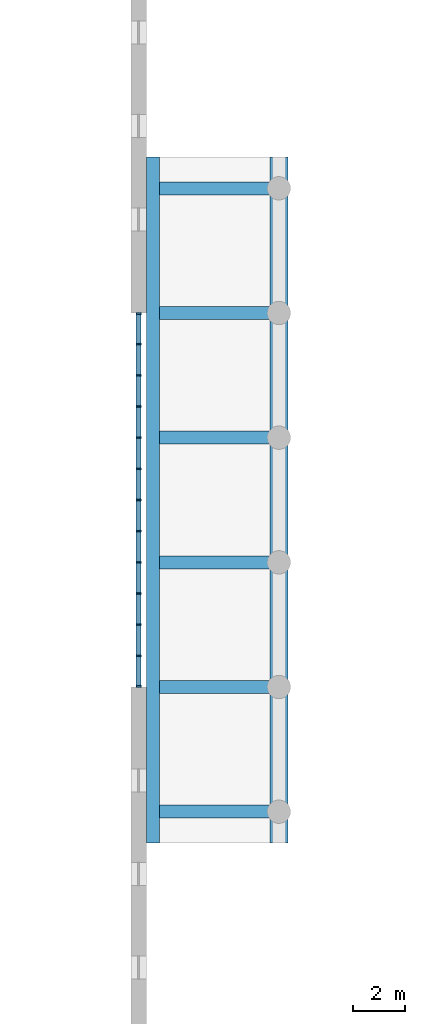
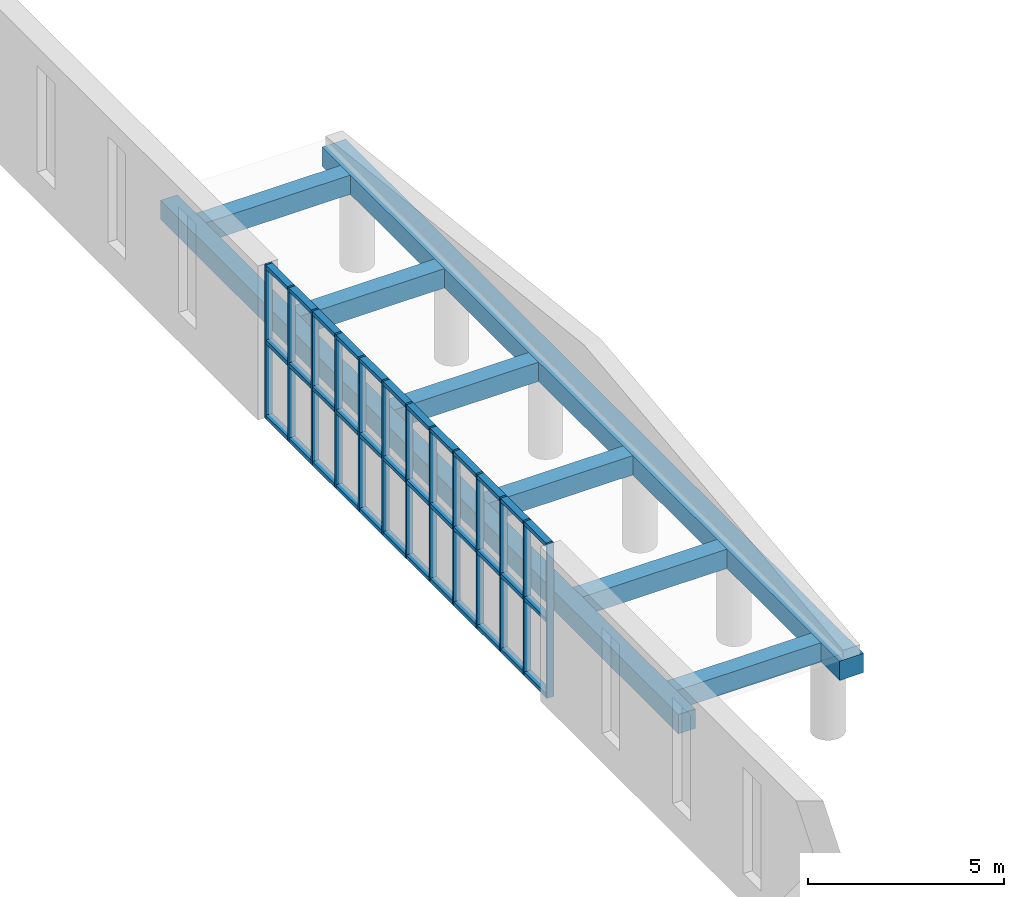
# One storey, part 51 of 131: 49 members, 8 beams, 1 element without a shape of its own.
"""IFC4 building model written with IfcOpenShell, lengths in metres."""

from ifc_helpers import new_model, si_unit, direction, frame, origin, origin_2d, place, context, subcontext, project, spatial, rectangle, extrude, material, material_profile, profile_set, type_object, element, aggregate, save


model = new_model("IFC4")

# Units and contexts
model_context = context("Model", 3, precision=1e-05, world=origin(), true_north=direction((0.0, 1.0)))
body_context = subcontext(model_context, "Body", "Model", "MODEL_VIEW")
ifc_project = project(units=[si_unit("LENGTHUNIT", "METRE"), si_unit("AREAUNIT", "SQUARE_METRE"), si_unit("VOLUMEUNIT", "CUBIC_METRE"), si_unit("PLANEANGLEUNIT", "RADIAN"), si_unit("MASSUNIT", "GRAM", prefix="KILO")], contexts=[model_context])

# Site, building, storey
site_placement = place(None, origin())
site = spatial("IfcSite", under=ifc_project, at=site_placement, CompositionType="ELEMENT")
building_placement = place(site_placement, origin())
building = spatial("IfcBuilding", under=site, at=building_placement, Name="Alderwick Market Hall", CompositionType="ELEMENT")
storey_placement = place(building_placement, frame((0.0, 0.0, 4.800048828125)))
storey = spatial("IfcBuildingStorey", under=building, at=storey_placement, Name="L00", CompositionType="ELEMENT", Elevation=4.800048828125)

# Curtain wall, members
ifc_material_1 = material(Name="Aluminium", Category="aluminium")
curtain_wall_type = type_object("IfcCurtainWallType", Name="R Curtain Wall Frame", PredefinedType="NOTDEFINED", material=ifc_material_1)
curtain_wall_placement = place(storey_placement, origin())
curtain_wall = element("IfcCurtainWall", 1, at=curtain_wall_placement, inside=storey, type_object=curtain_wall_type, Name="Curtain wall GCW1", PredefinedType="NOTDEFINED")
ifc_material_profile_1 = material_profile(ifc_material_1, rectangle(XDim=0.199951171875, YDim=0.06005859375, at=origin_2d()), Name="AL 60x200")
ifc_profile_set_1 = profile_set([ifc_material_profile_1], Name="Aluminium")
member_type_1 = type_object("IfcMemberType", Name="R CW Mullion 60x200", PredefinedType="MULLION", material=ifc_profile_set_1)
member_1_placement = place(storey_placement, frame((151.199951171875, 72.030029296875, 0.0), z_axis=(0.0, 0.0, 1.0), x_axis=(1.0, 0.0, 0.0)))
member_1 = element("IfcMember", 2, at=member_1_placement, type_object=member_type_1, Name="GCW1 mullion 1", PredefinedType="MULLION", context=body_context, shape_type="SweptSolid", body=[
    extrude(rectangle(XDim=0.199951171875, YDim=0.06005859375, at=origin_2d()), origin(), (0.0, 0.0, 1.0), 4.800048828125),
])
member_2_placement = place(storey_placement, frame((151.199951171875, 73.199951171875, 0.0), z_axis=(0.0, 0.0, 1.0), x_axis=(1.0, 0.0, 0.0)))
member_2 = element("IfcMember", 3, at=member_2_placement, type_object=member_type_1, Name="GCW1 mullion 2", PredefinedType="MULLION", context=body_context, shape_type="SweptSolid", body=[
    extrude(rectangle(XDim=0.199951171875, YDim=0.06005859375, at=origin_2d()), origin(), (0.0, 0.0, 1.0), 4.800048828125),
])
member_3_placement = place(storey_placement, frame((151.199951171875, 74.39990234375, 0.0), z_axis=(0.0, 0.0, 1.0), x_axis=(1.0, 0.0, 0.0)))
member_3 = element("IfcMember", 4, at=member_3_placement, type_object=member_type_1, Name="GCW1 mullion 3", PredefinedType="MULLION", context=body_context, shape_type="SweptSolid", body=[
    extrude(rectangle(XDim=0.199951171875, YDim=0.06005859375, at=origin_2d()), origin(), (0.0, 0.0, 1.0), 4.800048828125),
])
member_4_placement = place(storey_placement, frame((151.199951171875, 75.60009765625, 0.0), z_axis=(0.0, 0.0, 1.0), x_axis=(1.0, 0.0, 0.0)))
member_4 = element("IfcMember", 5, at=member_4_placement, type_object=member_type_1, Name="GCW1 mullion 4", PredefinedType="MULLION", context=body_context, shape_type="SweptSolid", body=[
    extrude(rectangle(XDim=0.199951171875, YDim=0.06005859375, at=origin_2d()), origin(), (0.0, 0.0, 1.0), 4.800048828125),
])
member_5_placement = place(storey_placement, frame((151.199951171875, 76.800048828125, 0.0), z_axis=(0.0, 0.0, 1.0), x_axis=(1.0, 0.0, 0.0)))
member_5 = element("IfcMember", 6, at=member_5_placement, type_object=member_type_1, Name="GCW1 mullion 5", PredefinedType="MULLION", context=body_context, shape_type="SweptSolid", body=[
    extrude(rectangle(XDim=0.199951171875, YDim=0.06005859375, at=origin_2d()), origin(), (0.0, 0.0, 1.0), 4.800048828125),
])
member_6_placement = place(storey_placement, frame((151.199951171875, 78.0, 0.0), z_axis=(0.0, 0.0, 1.0), x_axis=(1.0, 0.0, 0.0)))
member_6 = element("IfcMember", 7, at=member_6_placement, type_object=member_type_1, Name="GCW1 mullion 6", PredefinedType="MULLION", context=body_context, shape_type="SweptSolid", body=[
    extrude(rectangle(XDim=0.199951171875, YDim=0.06005859375, at=origin_2d()), origin(), (0.0, 0.0, 1.0), 4.800048828125),
])
member_7_placement = place(storey_placement, frame((151.199951171875, 79.199951171875, 0.0), z_axis=(0.0, 0.0, 1.0), x_axis=(1.0, 0.0, 0.0)))
member_7 = element("IfcMember", 8, at=member_7_placement, type_object=member_type_1, Name="GCW1 mullion 7", PredefinedType="MULLION", context=body_context, shape_type="SweptSolid", body=[
    extrude(rectangle(XDim=0.199951171875, YDim=0.06005859375, at=origin_2d()), origin(), (0.0, 0.0, 1.0), 4.800048828125),
])
member_8_placement = place(storey_placement, frame((151.199951171875, 80.39990234375, 0.0), z_axis=(0.0, 0.0, 1.0), x_axis=(1.0, 0.0, 0.0)))
member_8 = element("IfcMember", 9, at=member_8_placement, type_object=member_type_1, Name="GCW1 mullion 8", PredefinedType="MULLION", context=body_context, shape_type="SweptSolid", body=[
    extrude(rectangle(XDim=0.199951171875, YDim=0.06005859375, at=origin_2d()), origin(), (0.0, 0.0, 1.0), 4.800048828125),
])
member_9_placement = place(storey_placement, frame((151.199951171875, 81.60009765625, 0.0), z_axis=(0.0, 0.0, 1.0), x_axis=(1.0, 0.0, 0.0)))
member_9 = element("IfcMember", 10, at=member_9_placement, type_object=member_type_1, Name="GCW1 mullion 9", PredefinedType="MULLION", context=body_context, shape_type="SweptSolid", body=[
    extrude(rectangle(XDim=0.199951171875, YDim=0.06005859375, at=origin_2d()), origin(), (0.0, 0.0, 1.0), 4.800048828125),
])
member_10_placement = place(storey_placement, frame((151.199951171875, 82.800048828125, 0.0), z_axis=(0.0, 0.0, 1.0), x_axis=(1.0, 0.0, 0.0)))
member_10 = element("IfcMember", 11, at=member_10_placement, type_object=member_type_1, Name="GCW1 mullion 10", PredefinedType="MULLION", context=body_context, shape_type="SweptSolid", body=[
    extrude(rectangle(XDim=0.199951171875, YDim=0.06005859375, at=origin_2d()), origin(), (0.0, 0.0, 1.0), 4.800048828125),
])
member_11_placement = place(storey_placement, frame((151.199951171875, 84.0, 0.0), z_axis=(0.0, 0.0, 1.0), x_axis=(1.0, 0.0, 0.0)))
member_11 = element("IfcMember", 12, at=member_11_placement, type_object=member_type_1, Name="GCW1 mullion 11", PredefinedType="MULLION", context=body_context, shape_type="SweptSolid", body=[
    extrude(rectangle(XDim=0.199951171875, YDim=0.06005859375, at=origin_2d()), origin(), (0.0, 0.0, 1.0), 4.800048828125),
])
member_12_placement = place(storey_placement, frame((151.199951171875, 85.199951171875, 0.0), z_axis=(0.0, 0.0, 1.0), x_axis=(1.0, 0.0, 0.0)))
member_12 = element("IfcMember", 13, at=member_12_placement, type_object=member_type_1, Name="GCW1 mullion 12", PredefinedType="MULLION", context=body_context, shape_type="SweptSolid", body=[
    extrude(rectangle(XDim=0.199951171875, YDim=0.06005859375, at=origin_2d()), origin(), (0.0, 0.0, 1.0), 4.800048828125),
])
member_13_placement = place(storey_placement, frame((151.199951171875, 86.3701171875, 0.0), z_axis=(0.0, 0.0, 1.0), x_axis=(1.0, 0.0, 0.0)))
member_13 = element("IfcMember", 14, at=member_13_placement, type_object=member_type_1, Name="GCW1 mullion 13", PredefinedType="MULLION", context=body_context, shape_type="SweptSolid", body=[
    extrude(rectangle(XDim=0.199951171875, YDim=0.06005859375, at=origin_2d()), origin(), (0.0, 0.0, 1.0), 4.800048828125),
])
ifc_material_profile_2 = material_profile(ifc_material_1, rectangle(XDim=0.199951171875, YDim=0.1201171875, at=origin_2d()), Name="AL 120x200")
ifc_profile_set_2 = profile_set([ifc_material_profile_2], Name="Aluminium")
member_type_2 = type_object("IfcMemberType", Name="R CW Transom 120x200", PredefinedType="USERDEFINED", material=ifc_profile_set_2)
member_14_placement = place(storey_placement, frame((151.199951171875, 72.06005859375, 0.06005859375), z_axis=(0.0, 1.0, 0.0), x_axis=(-1.0, 0.0, 0.0)))
member_14 = element("IfcMember", 15, at=member_14_placement, type_object=member_type_2, Name="GCW1 sill transom 1", ObjectType="TRANSOM", PredefinedType="USERDEFINED", context=body_context, shape_type="SweptSolid", body=[
    extrude(rectangle(XDim=0.199951171875, YDim=0.1201171875, at=origin_2d()), origin(), (0.0, 0.0, 1.0), 1.10986328125),
])
member_15_placement = place(storey_placement, frame((151.199951171875, 72.06005859375, 2.39990234375), z_axis=(0.0, 1.0, 0.0), x_axis=(-1.0, 0.0, 0.0)))
member_15 = element("IfcMember", 16, at=member_15_placement, type_object=member_type_2, Name="GCW1 transom 1.1", ObjectType="TRANSOM", PredefinedType="USERDEFINED", context=body_context, shape_type="SweptSolid", body=[
    extrude(rectangle(XDim=0.199951171875, YDim=0.1201171875, at=origin_2d()), origin(), (0.0, 0.0, 1.0), 1.10986328125),
])
member_16_placement = place(storey_placement, frame((151.199951171875, 72.06005859375, 4.739990234375), z_axis=(0.0, 1.0, 0.0), x_axis=(-1.0, 0.0, 0.0)))
member_16 = element("IfcMember", 17, at=member_16_placement, type_object=member_type_2, Name="GCW1 head transom 1", ObjectType="TRANSOM", PredefinedType="USERDEFINED", context=body_context, shape_type="SweptSolid", body=[
    extrude(rectangle(XDim=0.199951171875, YDim=0.1201171875, at=origin_2d()), origin(), (0.0, 0.0, 1.0), 1.10986328125),
])
member_17_placement = place(storey_placement, frame((151.199951171875, 73.22998046875, 0.06005859375), z_axis=(0.0, 1.0, 0.0), x_axis=(-1.0, 0.0, 0.0)))
member_17 = element("IfcMember", 18, at=member_17_placement, type_object=member_type_2, Name="GCW1 sill transom 2", ObjectType="TRANSOM", PredefinedType="USERDEFINED", context=body_context, shape_type="SweptSolid", body=[
    extrude(rectangle(XDim=0.199951171875, YDim=0.1201171875, at=origin_2d()), origin(), (0.0, 0.0, 1.0), 1.14013671875),
])
member_18_placement = place(storey_placement, frame((151.199951171875, 73.22998046875, 2.39990234375), z_axis=(0.0, 1.0, 0.0), x_axis=(-1.0, 0.0, 0.0)))
member_18 = element("IfcMember", 19, at=member_18_placement, type_object=member_type_2, Name="GCW1 transom 2.1", ObjectType="TRANSOM", PredefinedType="USERDEFINED", context=body_context, shape_type="SweptSolid", body=[
    extrude(rectangle(XDim=0.199951171875, YDim=0.1201171875, at=origin_2d()), origin(), (0.0, 0.0, 1.0), 1.14013671875),
])
member_19_placement = place(storey_placement, frame((151.199951171875, 73.22998046875, 4.739990234375), z_axis=(0.0, 1.0, 0.0), x_axis=(-1.0, 0.0, 0.0)))
member_19 = element("IfcMember", 20, at=member_19_placement, type_object=member_type_2, Name="GCW1 head transom 2", ObjectType="TRANSOM", PredefinedType="USERDEFINED", context=body_context, shape_type="SweptSolid", body=[
    extrude(rectangle(XDim=0.199951171875, YDim=0.1201171875, at=origin_2d()), origin(), (0.0, 0.0, 1.0), 1.14013671875),
])
member_20_placement = place(storey_placement, frame((151.199951171875, 74.429931640625, 0.06005859375), z_axis=(0.0, 1.0, 0.0), x_axis=(-1.0, 0.0, 0.0)))
member_20 = element("IfcMember", 21, at=member_20_placement, type_object=member_type_2, Name="GCW1 sill transom 3", ObjectType="TRANSOM", PredefinedType="USERDEFINED", context=body_context, shape_type="SweptSolid", body=[
    extrude(rectangle(XDim=0.199951171875, YDim=0.1201171875, at=origin_2d()), origin(), (0.0, 0.0, 1.0), 1.14013671875),
])
member_21_placement = place(storey_placement, frame((151.199951171875, 74.429931640625, 2.39990234375), z_axis=(0.0, 1.0, 0.0), x_axis=(-1.0, 0.0, 0.0)))
member_21 = element("IfcMember", 22, at=member_21_placement, type_object=member_type_2, Name="GCW1 transom 3.1", ObjectType="TRANSOM", PredefinedType="USERDEFINED", context=body_context, shape_type="SweptSolid", body=[
    extrude(rectangle(XDim=0.199951171875, YDim=0.1201171875, at=origin_2d()), origin(), (0.0, 0.0, 1.0), 1.14013671875),
])
member_22_placement = place(storey_placement, frame((151.199951171875, 74.429931640625, 4.739990234375), z_axis=(0.0, 1.0, 0.0), x_axis=(-1.0, 0.0, 0.0)))
member_22 = element("IfcMember", 23, at=member_22_placement, type_object=member_type_2, Name="GCW1 head transom 3", ObjectType="TRANSOM", PredefinedType="USERDEFINED", context=body_context, shape_type="SweptSolid", body=[
    extrude(rectangle(XDim=0.199951171875, YDim=0.1201171875, at=origin_2d()), origin(), (0.0, 0.0, 1.0), 1.14013671875),
])
member_23_placement = place(storey_placement, frame((151.199951171875, 75.6298828125, 0.06005859375), z_axis=(0.0, 1.0, 0.0), x_axis=(-1.0, 0.0, 0.0)))
member_23 = element("IfcMember", 24, at=member_23_placement, type_object=member_type_2, Name="GCW1 sill transom 4", ObjectType="TRANSOM", PredefinedType="USERDEFINED", context=body_context, shape_type="SweptSolid", body=[
    extrude(rectangle(XDim=0.199951171875, YDim=0.1201171875, at=origin_2d()), origin(), (0.0, 0.0, 1.0), 1.14013671875),
])
member_24_placement = place(storey_placement, frame((151.199951171875, 75.6298828125, 2.39990234375), z_axis=(0.0, 1.0, 0.0), x_axis=(-1.0, 0.0, 0.0)))
member_24 = element("IfcMember", 25, at=member_24_placement, type_object=member_type_2, Name="GCW1 transom 4.1", ObjectType="TRANSOM", PredefinedType="USERDEFINED", context=body_context, shape_type="SweptSolid", body=[
    extrude(rectangle(XDim=0.199951171875, YDim=0.1201171875, at=origin_2d()), origin(), (0.0, 0.0, 1.0), 1.14013671875),
])
member_25_placement = place(storey_placement, frame((151.199951171875, 75.6298828125, 4.739990234375), z_axis=(0.0, 1.0, 0.0), x_axis=(-1.0, 0.0, 0.0)))
member_25 = element("IfcMember", 26, at=member_25_placement, type_object=member_type_2, Name="GCW1 head transom 4", ObjectType="TRANSOM", PredefinedType="USERDEFINED", context=body_context, shape_type="SweptSolid", body=[
    extrude(rectangle(XDim=0.199951171875, YDim=0.1201171875, at=origin_2d()), origin(), (0.0, 0.0, 1.0), 1.14013671875),
])
member_26_placement = place(storey_placement, frame((151.199951171875, 76.830078125, 0.06005859375), z_axis=(0.0, 1.0, 0.0), x_axis=(-1.0, 0.0, 0.0)))
member_26 = element("IfcMember", 27, at=member_26_placement, type_object=member_type_2, Name="GCW1 sill transom 5", ObjectType="TRANSOM", PredefinedType="USERDEFINED", context=body_context, shape_type="SweptSolid", body=[
    extrude(rectangle(XDim=0.199951171875, YDim=0.1201171875, at=origin_2d()), origin(), (0.0, 0.0, 1.0), 1.139892578125),
])
member_27_placement = place(storey_placement, frame((151.199951171875, 76.830078125, 2.39990234375), z_axis=(0.0, 1.0, 0.0), x_axis=(-1.0, 0.0, 0.0)))
member_27 = element("IfcMember", 28, at=member_27_placement, type_object=member_type_2, Name="GCW1 transom 5.1", ObjectType="TRANSOM", PredefinedType="USERDEFINED", context=body_context, shape_type="SweptSolid", body=[
    extrude(rectangle(XDim=0.199951171875, YDim=0.1201171875, at=origin_2d()), origin(), (0.0, 0.0, 1.0), 1.139892578125),
])
member_28_placement = place(storey_placement, frame((151.199951171875, 76.830078125, 4.739990234375), z_axis=(0.0, 1.0, 0.0), x_axis=(-1.0, 0.0, 0.0)))
member_28 = element("IfcMember", 29, at=member_28_placement, type_object=member_type_2, Name="GCW1 head transom 5", ObjectType="TRANSOM", PredefinedType="USERDEFINED", context=body_context, shape_type="SweptSolid", body=[
    extrude(rectangle(XDim=0.199951171875, YDim=0.1201171875, at=origin_2d()), origin(), (0.0, 0.0, 1.0), 1.139892578125),
])
member_29_placement = place(storey_placement, frame((151.199951171875, 78.030029296875, 0.06005859375), z_axis=(0.0, 1.0, 0.0), x_axis=(-1.0, 0.0, 0.0)))
member_29 = element("IfcMember", 30, at=member_29_placement, type_object=member_type_2, Name="GCW1 sill transom 6", ObjectType="TRANSOM", PredefinedType="USERDEFINED", context=body_context, shape_type="SweptSolid", body=[
    extrude(rectangle(XDim=0.199951171875, YDim=0.1201171875, at=origin_2d()), origin(), (0.0, 0.0, 1.0), 1.139892578125),
])
member_30_placement = place(storey_placement, frame((151.199951171875, 78.030029296875, 2.39990234375), z_axis=(0.0, 1.0, 0.0), x_axis=(-1.0, 0.0, 0.0)))
member_30 = element("IfcMember", 31, at=member_30_placement, type_object=member_type_2, Name="GCW1 transom 6.1", ObjectType="TRANSOM", PredefinedType="USERDEFINED", context=body_context, shape_type="SweptSolid", body=[
    extrude(rectangle(XDim=0.199951171875, YDim=0.1201171875, at=origin_2d()), origin(), (0.0, 0.0, 1.0), 1.139892578125),
])
member_31_placement = place(storey_placement, frame((151.199951171875, 78.030029296875, 4.739990234375), z_axis=(0.0, 1.0, 0.0), x_axis=(-1.0, 0.0, 0.0)))
member_31 = element("IfcMember", 32, at=member_31_placement, type_object=member_type_2, Name="GCW1 head transom 6", ObjectType="TRANSOM", PredefinedType="USERDEFINED", context=body_context, shape_type="SweptSolid", body=[
    extrude(rectangle(XDim=0.199951171875, YDim=0.1201171875, at=origin_2d()), origin(), (0.0, 0.0, 1.0), 1.139892578125),
])
member_32_placement = place(storey_placement, frame((151.199951171875, 79.22998046875, 0.06005859375), z_axis=(0.0, 1.0, 0.0), x_axis=(-1.0, 0.0, 0.0)))
member_32 = element("IfcMember", 33, at=member_32_placement, type_object=member_type_2, Name="GCW1 sill transom 7", ObjectType="TRANSOM", PredefinedType="USERDEFINED", context=body_context, shape_type="SweptSolid", body=[
    extrude(rectangle(XDim=0.199951171875, YDim=0.1201171875, at=origin_2d()), origin(), (0.0, 0.0, 1.0), 1.14013671875),
])
member_33_placement = place(storey_placement, frame((151.199951171875, 79.22998046875, 2.39990234375), z_axis=(0.0, 1.0, 0.0), x_axis=(-1.0, 0.0, 0.0)))
member_33 = element("IfcMember", 34, at=member_33_placement, type_object=member_type_2, Name="GCW1 transom 7.1", ObjectType="TRANSOM", PredefinedType="USERDEFINED", context=body_context, shape_type="SweptSolid", body=[
    extrude(rectangle(XDim=0.199951171875, YDim=0.1201171875, at=origin_2d()), origin(), (0.0, 0.0, 1.0), 1.14013671875),
])
member_34_placement = place(storey_placement, frame((151.199951171875, 79.22998046875, 4.739990234375), z_axis=(0.0, 1.0, 0.0), x_axis=(-1.0, 0.0, 0.0)))
member_34 = element("IfcMember", 35, at=member_34_placement, type_object=member_type_2, Name="GCW1 head transom 7", ObjectType="TRANSOM", PredefinedType="USERDEFINED", context=body_context, shape_type="SweptSolid", body=[
    extrude(rectangle(XDim=0.199951171875, YDim=0.1201171875, at=origin_2d()), origin(), (0.0, 0.0, 1.0), 1.14013671875),
])
member_35_placement = place(storey_placement, frame((151.199951171875, 80.429931640625, 0.06005859375), z_axis=(0.0, 1.0, 0.0), x_axis=(-1.0, 0.0, 0.0)))
member_35 = element("IfcMember", 36, at=member_35_placement, type_object=member_type_2, Name="GCW1 sill transom 8", ObjectType="TRANSOM", PredefinedType="USERDEFINED", context=body_context, shape_type="SweptSolid", body=[
    extrude(rectangle(XDim=0.199951171875, YDim=0.1201171875, at=origin_2d()), origin(), (0.0, 0.0, 1.0), 1.14013671875),
])
member_36_placement = place(storey_placement, frame((151.199951171875, 80.429931640625, 2.39990234375), z_axis=(0.0, 1.0, 0.0), x_axis=(-1.0, 0.0, 0.0)))
member_36 = element("IfcMember", 37, at=member_36_placement, type_object=member_type_2, Name="GCW1 transom 8.1", ObjectType="TRANSOM", PredefinedType="USERDEFINED", context=body_context, shape_type="SweptSolid", body=[
    extrude(rectangle(XDim=0.199951171875, YDim=0.1201171875, at=origin_2d()), origin(), (0.0, 0.0, 1.0), 1.14013671875),
])
member_37_placement = place(storey_placement, frame((151.199951171875, 80.429931640625, 4.739990234375), z_axis=(0.0, 1.0, 0.0), x_axis=(-1.0, 0.0, 0.0)))
member_37 = element("IfcMember", 38, at=member_37_placement, type_object=member_type_2, Name="GCW1 head transom 8", ObjectType="TRANSOM", PredefinedType="USERDEFINED", context=body_context, shape_type="SweptSolid", body=[
    extrude(rectangle(XDim=0.199951171875, YDim=0.1201171875, at=origin_2d()), origin(), (0.0, 0.0, 1.0), 1.14013671875),
])
member_38_placement = place(storey_placement, frame((151.199951171875, 81.6298828125, 0.06005859375), z_axis=(0.0, 1.0, 0.0), x_axis=(-1.0, 0.0, 0.0)))
member_38 = element("IfcMember", 39, at=member_38_placement, type_object=member_type_2, Name="GCW1 sill transom 9", ObjectType="TRANSOM", PredefinedType="USERDEFINED", context=body_context, shape_type="SweptSolid", body=[
    extrude(rectangle(XDim=0.199951171875, YDim=0.1201171875, at=origin_2d()), origin(), (0.0, 0.0, 1.0), 1.14013671875),
])
member_39_placement = place(storey_placement, frame((151.199951171875, 81.6298828125, 2.39990234375), z_axis=(0.0, 1.0, 0.0), x_axis=(-1.0, 0.0, 0.0)))
member_39 = element("IfcMember", 40, at=member_39_placement, type_object=member_type_2, Name="GCW1 transom 9.1", ObjectType="TRANSOM", PredefinedType="USERDEFINED", context=body_context, shape_type="SweptSolid", body=[
    extrude(rectangle(XDim=0.199951171875, YDim=0.1201171875, at=origin_2d()), origin(), (0.0, 0.0, 1.0), 1.14013671875),
])
member_40_placement = place(storey_placement, frame((151.199951171875, 81.6298828125, 4.739990234375), z_axis=(0.0, 1.0, 0.0), x_axis=(-1.0, 0.0, 0.0)))
member_40 = element("IfcMember", 41, at=member_40_placement, type_object=member_type_2, Name="GCW1 head transom 9", ObjectType="TRANSOM", PredefinedType="USERDEFINED", context=body_context, shape_type="SweptSolid", body=[
    extrude(rectangle(XDim=0.199951171875, YDim=0.1201171875, at=origin_2d()), origin(), (0.0, 0.0, 1.0), 1.14013671875),
])
member_41_placement = place(storey_placement, frame((151.199951171875, 82.830078125, 0.06005859375), z_axis=(0.0, 1.0, 0.0), x_axis=(-1.0, 0.0, 0.0)))
member_41 = element("IfcMember", 42, at=member_41_placement, type_object=member_type_2, Name="GCW1 sill transom 10", ObjectType="TRANSOM", PredefinedType="USERDEFINED", context=body_context, shape_type="SweptSolid", body=[
    extrude(rectangle(XDim=0.199951171875, YDim=0.1201171875, at=origin_2d()), origin(), (0.0, 0.0, 1.0), 1.139892578125),
])
member_42_placement = place(storey_placement, frame((151.199951171875, 82.830078125, 2.39990234375), z_axis=(0.0, 1.0, 0.0), x_axis=(-1.0, 0.0, 0.0)))
member_42 = element("IfcMember", 43, at=member_42_placement, type_object=member_type_2, Name="GCW1 transom 10.1", ObjectType="TRANSOM", PredefinedType="USERDEFINED", context=body_context, shape_type="SweptSolid", body=[
    extrude(rectangle(XDim=0.199951171875, YDim=0.1201171875, at=origin_2d()), origin(), (0.0, 0.0, 1.0), 1.139892578125),
])
member_43_placement = place(storey_placement, frame((151.199951171875, 82.830078125, 4.739990234375), z_axis=(0.0, 1.0, 0.0), x_axis=(-1.0, 0.0, 0.0)))
member_43 = element("IfcMember", 44, at=member_43_placement, type_object=member_type_2, Name="GCW1 head transom 10", ObjectType="TRANSOM", PredefinedType="USERDEFINED", context=body_context, shape_type="SweptSolid", body=[
    extrude(rectangle(XDim=0.199951171875, YDim=0.1201171875, at=origin_2d()), origin(), (0.0, 0.0, 1.0), 1.139892578125),
])
member_44_placement = place(storey_placement, frame((151.199951171875, 84.030029296875, 0.06005859375), z_axis=(0.0, 1.0, 0.0), x_axis=(-1.0, 0.0, 0.0)))
member_44 = element("IfcMember", 45, at=member_44_placement, type_object=member_type_2, Name="GCW1 sill transom 11", ObjectType="TRANSOM", PredefinedType="USERDEFINED", context=body_context, shape_type="SweptSolid", body=[
    extrude(rectangle(XDim=0.199951171875, YDim=0.1201171875, at=origin_2d()), origin(), (0.0, 0.0, 1.0), 1.139892578125),
])
member_45_placement = place(storey_placement, frame((151.199951171875, 84.030029296875, 2.39990234375), z_axis=(0.0, 1.0, 0.0), x_axis=(-1.0, 0.0, 0.0)))
member_45 = element("IfcMember", 46, at=member_45_placement, type_object=member_type_2, Name="GCW1 transom 11.1", ObjectType="TRANSOM", PredefinedType="USERDEFINED", context=body_context, shape_type="SweptSolid", body=[
    extrude(rectangle(XDim=0.199951171875, YDim=0.1201171875, at=origin_2d()), origin(), (0.0, 0.0, 1.0), 1.139892578125),
])
member_46_placement = place(storey_placement, frame((151.199951171875, 84.030029296875, 4.739990234375), z_axis=(0.0, 1.0, 0.0), x_axis=(-1.0, 0.0, 0.0)))
member_46 = element("IfcMember", 47, at=member_46_placement, type_object=member_type_2, Name="GCW1 head transom 11", ObjectType="TRANSOM", PredefinedType="USERDEFINED", context=body_context, shape_type="SweptSolid", body=[
    extrude(rectangle(XDim=0.199951171875, YDim=0.1201171875, at=origin_2d()), origin(), (0.0, 0.0, 1.0), 1.139892578125),
])
member_47_placement = place(storey_placement, frame((151.199951171875, 85.22998046875, 0.06005859375), z_axis=(0.0, 1.0, 0.0), x_axis=(-1.0, 0.0, 0.0)))
member_47 = element("IfcMember", 48, at=member_47_placement, type_object=member_type_2, Name="GCW1 sill transom 12", ObjectType="TRANSOM", PredefinedType="USERDEFINED", context=body_context, shape_type="SweptSolid", body=[
    extrude(rectangle(XDim=0.199951171875, YDim=0.1201171875, at=origin_2d()), origin(), (0.0, 0.0, 1.0), 1.110107421875),
])
member_48_placement = place(storey_placement, frame((151.199951171875, 85.22998046875, 2.39990234375), z_axis=(0.0, 1.0, 0.0), x_axis=(-1.0, 0.0, 0.0)))
member_48 = element("IfcMember", 49, at=member_48_placement, type_object=member_type_2, Name="GCW1 transom 12.1", ObjectType="TRANSOM", PredefinedType="USERDEFINED", context=body_context, shape_type="SweptSolid", body=[
    extrude(rectangle(XDim=0.199951171875, YDim=0.1201171875, at=origin_2d()), origin(), (0.0, 0.0, 1.0), 1.110107421875),
])
member_49_placement = place(storey_placement, frame((151.199951171875, 85.22998046875, 4.739990234375), z_axis=(0.0, 1.0, 0.0), x_axis=(-1.0, 0.0, 0.0)))
member_49 = element("IfcMember", 50, at=member_49_placement, type_object=member_type_2, Name="GCW1 head transom 12", ObjectType="TRANSOM", PredefinedType="USERDEFINED", context=body_context, shape_type="SweptSolid", body=[
    extrude(rectangle(XDim=0.199951171875, YDim=0.1201171875, at=origin_2d()), origin(), (0.0, 0.0, 1.0), 1.110107421875),
])
aggregate(curtain_wall, [member_1, member_2, member_3, member_4, member_5, member_6, member_7, member_8, member_9, member_10, member_11, member_12, member_13, member_14, member_15, member_16, member_17, member_18, member_19, member_20, member_21, member_22, member_23, member_24, member_25, member_26, member_27, member_28, member_29, member_30, member_31, member_32, member_33, member_34, member_35, member_36, member_37, member_38, member_39, member_40, member_41, member_42, member_43, member_44, member_45, member_46, member_47, member_48, member_49])

# Beams
ifc_material_2 = material(Name="Concrete 5000 psi (f'c 35 MPa)", Category="concrete")
ifc_material_profile_3 = material_profile(ifc_material_2, rectangle(XDim=0.5, YDim=0.60009765625, at=origin_2d()), Name="RC 500x600")
ifc_profile_set_3 = profile_set([ifc_material_profile_3], Name="Concrete 5000 psi (f'c 35 MPa)")
beam_type_1 = type_object("IfcBeamType", Name="R Portico Cross Beam 500x600", PredefinedType="BEAM", material=ifc_profile_set_3)
for number, where, z_axis, x_axis, name in (
    (51, (152.0, 67.199951171875, 2.699951171875), (1.0, 0.0, 0.0), (0.0, 1.0, 0.0), "Portico cross beam 1"),
    (52, (152.0, 72.0, 2.699951171875), (1.0, 0.0, 0.0), (0.0, 1.0, 0.0), "Portico cross beam 2"),
    (53, (152.0, 76.800048828125, 2.699951171875), (1.0, 0.0, 0.0), (0.0, 1.0, 0.0), "Portico cross beam 3"),
    (54, (152.0, 81.60009765625, 2.699951171875), (1.0, 0.0, 0.0), (0.0, 1.0, 0.0), "Portico cross beam 4"),
    (55, (152.0, 86.39990234375, 2.699951171875), (1.0, 0.0, 0.0), (0.0, 1.0, 0.0), "Portico cross beam 5"),
    (56, (152.0, 91.199951171875, 2.699951171875), (1.0, 0.0, 0.0), (0.0, 1.0, 0.0), "Portico cross beam 6"),
):
    element("IfcBeam", number, at=place(storey_placement, frame(where, z_axis=z_axis, x_axis=x_axis)), inside=storey, type_object=beam_type_1, Name=name, PredefinedType="BEAM", context=body_context, shape_type="SweptSolid", body=[
        extrude(rectangle(XDim=0.5, YDim=0.60009765625, at=origin_2d()), origin(), (0.0, 0.0, 1.0), 4.25),
    ])
beam_1_placement = place(storey_placement, frame((151.75, 66.0, 2.699951171875), z_axis=(0.0, 1.0, 0.0), x_axis=(-1.0, 0.0, 0.0)))
element("IfcBeam", 57, at=beam_1_placement, inside=storey, type_object=beam_type_1, Name="Portico ledger beam", PredefinedType="BEAM", context=body_context, shape_type="SweptSolid", body=[
    extrude(rectangle(XDim=0.5, YDim=0.60009765625, at=origin_2d()), origin(), (0.0, 0.0, 1.0), 26.39990234375),
])
ifc_material_profile_4 = material_profile(ifc_material_2, rectangle(XDim=0.699951171875, YDim=0.60009765625, at=origin_2d()), Name="RC 700x600")
ifc_profile_set_4 = profile_set([ifc_material_profile_4], Name="Concrete 5000 psi (f'c 35 MPa)")
beam_type_2 = type_object("IfcBeamType", Name="R Portico Entablature 700x600", PredefinedType="BEAM", material=ifc_profile_set_4)
beam_2_placement = place(storey_placement, frame((156.60009765625, 66.0, 2.699951171875), z_axis=(0.0, 1.0, 0.0), x_axis=(-1.0, 0.0, 0.0)))
element("IfcBeam", 58, at=beam_2_placement, inside=storey, type_object=beam_type_2, Name="Portico entablature", PredefinedType="BEAM", context=body_context, shape_type="SweptSolid", body=[
    extrude(rectangle(XDim=0.699951171875, YDim=0.60009765625, at=origin_2d()), origin(), (0.0, 0.0, 1.0), 26.39990234375),
])

save(model, "model.ifc")
